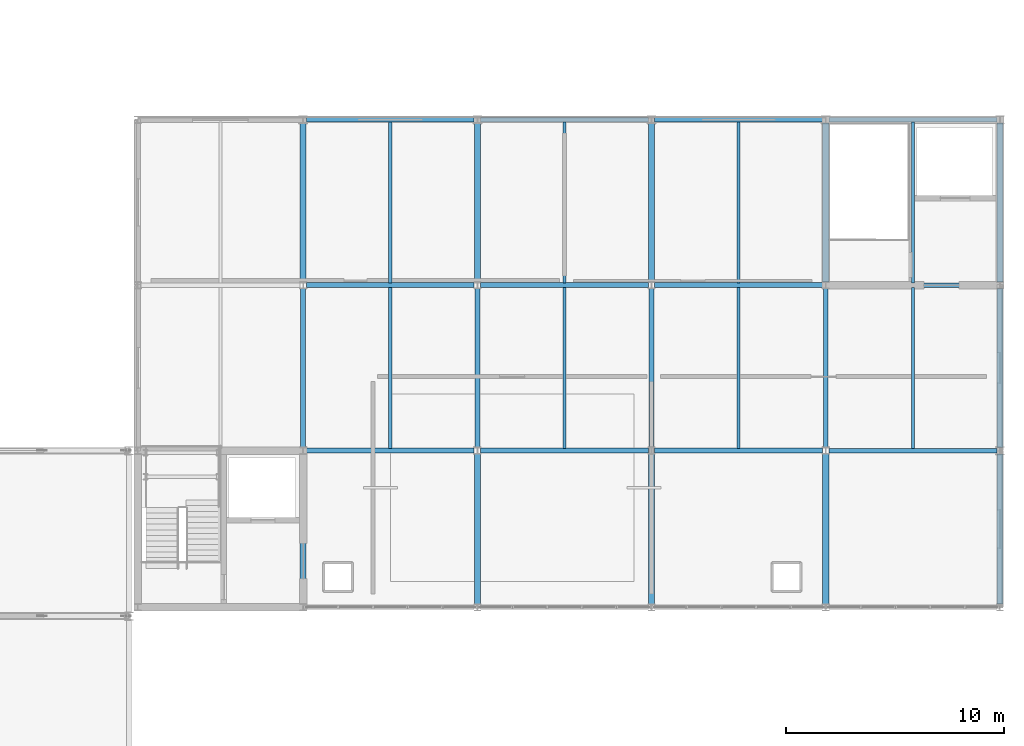
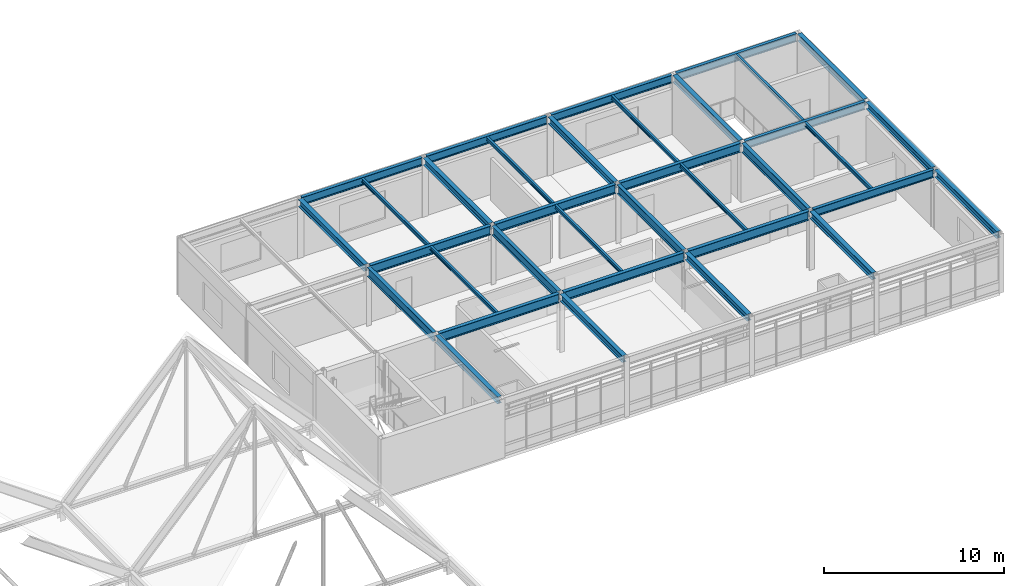
# One storey, part 53 of 85: 35 beams.
"""IFC4 building model written with IfcOpenShell, lengths in metres."""

import ifcopenshell
import ifcopenshell.guid

model = None  # the IFC model being written
_history = None  # IfcOwnerHistory: only IFC2X3 demands one
_inside = {}  # id of a spatial element -> (the spatial element, [elements in it])
_under = {}  # id of a project, library or spatial element -> (it, [spatial elements below it])
_declared = {}  # id of a project -> (the project, [libraries it declares])
_typed = {}  # id of a type object -> (the type object, [elements of that type])
_made_of = {}  # id of a material, layer set ... -> (it, [elements and type objects made of it])


def new_model(schema):
    """Start an empty IFC model of exactly this schema.

    Asked for "IFC4X3", IfcOpenShell would pick the latest addendum, in which some entities
    have other attributes; the version numbers below select the first issue.
    IFC2X3 requires an IfcOwnerHistory on every rooted entity: one is made here for all.
    """
    global model, _history
    if schema == "IFC4X3":
        model = ifcopenshell.file(schema_version=(4, 3, 0, 0))
    else:
        model = ifcopenshell.file(schema=schema)
    _inside.clear()
    _under.clear()
    _declared.clear()
    _typed.clear()
    _made_of.clear()
    _history = None
    if model.schema == "IFC2X3":
        org = make("IfcOrganization", Name="unknown")
        user = make(
            "IfcPersonAndOrganization",
            ThePerson=make("IfcPerson", FamilyName="unknown"),
            TheOrganization=org,
        )
        app = make(
            "IfcApplication",
            ApplicationDeveloper=org,
            Version="unknown",
            ApplicationFullName="unknown",
            ApplicationIdentifier="unknown",
        )
        _history = make(
            "IfcOwnerHistory",
            OwningUser=user,
            OwningApplication=app,
            ChangeAction="ADDED",
            CreationDate=0,
        )
    return model


def make(cls, **values):
    """One entity of the class cls with the attributes given. An attribute that is None is left unset."""
    return model.create_entity(
        cls, **{name: value for name, value in values.items() if value is not None}
    )


def rooted(cls, **values):
    """An entity with a GlobalId (a new one), such as an element, a storey or a relation."""
    return make(cls, GlobalId=ifcopenshell.guid.new(), OwnerHistory=_history, **values)


def si_unit(unit_type, name, prefix=None):
    """IfcSIUnit, for example si_unit("LENGTHUNIT", "METRE", prefix="MILLI")."""
    return make("IfcSIUnit", UnitType=unit_type, Prefix=prefix, Name=name)


def assignment(units):
    """IfcUnitAssignment: the units of a project."""
    return None if units is None else make("IfcUnitAssignment", Units=units)


def point(xyz):
    """IfcCartesianPoint."""
    return None if xyz is None else make("IfcCartesianPoint", Coordinates=xyz)


def direction(xyz):
    """IfcDirection."""
    return None if xyz is None else make("IfcDirection", DirectionRatios=xyz)


def frame(location, z_axis=None, x_axis=None):
    """IfcAxis2Placement3D, a coordinate frame: its origin and axes. An axis left out is left unset."""
    return make(
        "IfcAxis2Placement3D",
        Location=point(location),
        Axis=direction(z_axis),
        RefDirection=direction(x_axis),
    )


def frame_2d(location, x_axis=None):
    """IfcAxis2Placement2D, a coordinate frame in the plane: its origin and x axis."""
    return make(
        "IfcAxis2Placement2D", Location=point(location), RefDirection=direction(x_axis)
    )


def origin():
    """The frame at (0, 0, 0) with its axes left unset."""
    return frame((0.0, 0.0, 0.0))


def origin_2d():
    """The frame at (0, 0) in the plane with its x axis left unset."""
    return frame_2d((0.0, 0.0))


def place(relative_to, where):
    """IfcLocalPlacement: puts the frame where relative to a parent placement (None: the world)."""
    return make(
        "IfcLocalPlacement", PlacementRelTo=relative_to, RelativePlacement=where
    )


def context(
    kind, dimensions, precision=None, world=None, true_north=None, identifier=None
):
    """IfcGeometricRepresentationContext, for example the 3D "Model" context."""
    return make(
        "IfcGeometricRepresentationContext",
        ContextIdentifier=identifier,
        ContextType=kind,
        CoordinateSpaceDimension=dimensions,
        Precision=precision,
        WorldCoordinateSystem=world,
        TrueNorth=true_north,
    )


def subcontext(parent, identifier, kind, view, scale=None):
    """IfcGeometricRepresentationSubContext, for example "Body" below "Model"."""
    return make(
        "IfcGeometricRepresentationSubContext",
        ContextIdentifier=identifier,
        ContextType=kind,
        ParentContext=parent,
        TargetScale=scale,
        TargetView=view,
    )


def project(units=None, contexts=None):
    """IfcProject with its units and contexts."""
    return rooted(
        "IfcProject",
        Name="project",
        RepresentationContexts=contexts,
        UnitsInContext=assignment(units),
    )


def spatial(cls, under=None, at=None, **own):
    """A site, building, storey or space (cls), placed at a placement, below another one or the project."""
    s = rooted(cls, ObjectPlacement=at, **own)
    if under is not None:
        _under.setdefault(under.id(), (under, []))[1].append(s)
    return s


def profile(cls, at=None, kind="AREA", **sizes):
    """A parametric profile (cls). Its sizes go by their IFC names, for example OverallWidth=200.0."""
    return make(cls, ProfileType=kind, Position=at, **sizes)


def i_section(**sizes):
    """IfcIShapeProfileDef."""
    return profile("IfcIShapeProfileDef", **sizes)


def extrude(swept, where, along, depth):
    """IfcExtrudedAreaSolid: the profile swept, set in the frame where, extruded along a direction by depth."""
    return make(
        "IfcExtrudedAreaSolid",
        SweptArea=swept,
        Position=where,
        ExtrudedDirection=direction(along),
        Depth=depth,
    )


def shape(context_of_items, identifier, shape_type, items):
    """IfcShapeRepresentation: the items that make up one representation, for example the "Body"."""
    return make(
        "IfcShapeRepresentation",
        ContextOfItems=context_of_items,
        RepresentationIdentifier=identifier,
        RepresentationType=shape_type,
        Items=items,
    )


def material(Name=None, Category=None):
    """IfcMaterial."""
    return make("IfcMaterial", Name=Name, Category=Category)


def material_profile(
    of_material, cross_section, Name=None, Category=None, Priority=None
):
    """IfcMaterialProfile: a cross section and its material."""
    return make(
        "IfcMaterialProfile",
        Name=Name,
        Material=of_material,
        Profile=cross_section,
        Priority=Priority,
        Category=Category,
    )


def profile_set(profiles, Name=None, composite=None):
    """IfcMaterialProfileSet."""
    return make(
        "IfcMaterialProfileSet",
        Name=Name,
        MaterialProfiles=profiles,
        CompositeProfile=composite,
    )


def made_of(thing, what):
    """Note that an element or type object is made of a material, layer set ...; save() writes the relation."""
    if what is not None:
        _made_of.setdefault(what.id(), (what, []))[1].append(thing)
    return thing


def type_object(cls, material=None, **own):
    """A type object (cls), such as IfcWallType, which elements share."""
    return made_of(rooted(cls, **own), material)


def element(
    cls,
    number,
    at=None,
    inside=None,
    cuts=None,
    type_object=None,
    material=None,
    context=None,
    identifier="Body",
    shape_type=None,
    held_by="IfcProductDefinitionShape",
    body=None,
    shapes=None,
    **own,
):
    """One element of the class cls, such as IfcWall. Its Tag is "e" and its number.

    at: its placement. inside: the storey or other place that contains it. cuts: it is an
    opening in that element (IfcRelVoidsElement). A single representation is given by context,
    identifier, shape_type and body (its items); several are given by shapes. held_by: the class
    of the entity that holds the representations. save() writes the other relations.
    """
    e = rooted(cls, Tag="e%d" % number, ObjectPlacement=at, **own)
    if body is not None:
        shapes = [shape(context, identifier, shape_type, body)]
    if shapes is not None:
        e.Representation = make(held_by, Representations=shapes)
    if inside is not None:
        _inside.setdefault(inside.id(), (inside, []))[1].append(e)
    if cuts is not None:
        rooted(
            "IfcRelVoidsElement", RelatingBuildingElement=cuts, RelatedOpeningElement=e
        )
    if type_object is not None:
        _typed.setdefault(type_object.id(), (type_object, []))[1].append(e)
    return made_of(e, material)


def aggregate(whole, parts):
    """IfcRelAggregates: a whole, such as a stair, and the parts it consists of."""
    return rooted("IfcRelAggregates", RelatingObject=whole, RelatedObjects=parts)


def save(model, path):
    """Write the relations noted so far, then the file.

    IfcRelAggregates (storeys below a building ...), IfcRelContainedInSpatialStructure (elements
    in a storey), IfcRelDefinesByType, IfcRelAssociatesMaterial and IfcRelDeclares: one each for
    every whole, place, type object, material and project.
    """
    for whole, parts in _under.values():
        aggregate(whole, parts)
    for where, things in _inside.values():
        rooted(
            "IfcRelContainedInSpatialStructure",
            RelatedElements=things,
            RelatingStructure=where,
        )
    for kind, things in _typed.values():
        rooted("IfcRelDefinesByType", RelatedObjects=things, RelatingType=kind)
    for what, things in _made_of.values():
        rooted("IfcRelAssociatesMaterial", RelatedObjects=things, RelatingMaterial=what)
    for by, libraries in _declared.values():
        rooted("IfcRelDeclares", RelatingContext=by, RelatedDefinitions=libraries)
    model.write(path)


model = new_model("IFC4")

# Units and contexts
model_context = context("Model", 3, precision=1e-05, world=origin(), true_north=direction((0.0, 1.0)))
body_context = subcontext(model_context, "Body", "Model", "MODEL_VIEW")
ifc_project = project(units=[si_unit("LENGTHUNIT", "METRE"), si_unit("AREAUNIT", "SQUARE_METRE"), si_unit("VOLUMEUNIT", "CUBIC_METRE"), si_unit("PLANEANGLEUNIT", "RADIAN"), si_unit("MASSUNIT", "GRAM", prefix="KILO")], contexts=[model_context])

# Site, building, storey
site_placement = place(None, origin())
site = spatial("IfcSite", under=ifc_project, at=site_placement, CompositionType="ELEMENT")
building_placement = place(site_placement, origin())
building = spatial("IfcBuilding", under=site, at=building_placement, Name="Zulena Civic Courthouse", CompositionType="ELEMENT")
storey_placement = place(building_placement, frame((0.0, 0.0, 25.199951171875)))
storey = spatial("IfcBuildingStorey", under=building, at=storey_placement, Name="L05", CompositionType="ELEMENT", Elevation=25.199951171875)

# Beams
ifc_material = material(Name="Steel ASTM A992 Grade 50", Category="steel")
ifc_material_profile_1 = material_profile(ifc_material, i_section(OverallWidth=0.22802734375, OverallDepth=0.60693359375, WebThickness=0.01123046875, FlangeThickness=0.017333984375, FilletRadius=0.0126953125, at=origin_2d()), Name="W24X76")
ifc_profile_set_1 = profile_set([ifc_material_profile_1], Name="Steel ASTM A992 Grade 50")
beam_type_1 = type_object("IfcBeamType", Name="Girder_W24X76", PredefinedType="BEAM", material=ifc_profile_set_1)
for number, where, z_axis, x_axis, name in (
    (1, (132.0, 38.14501953125, 3.6865234375), (0.0, 1.0, 0.0), (-1.0, 0.0, 0.0), "beam:Y:V3:L05:132.0:38.0_45.6"),
    (2, (140.0, 38.14501953125, 3.6865234375), (0.0, 1.0, 0.0), (-1.0, 0.0, 0.0), "beam:Y:V3:L05:140.0:38.0_45.6"),
    (3, (148.0, 38.14501953125, 3.6865234375), (0.0, 1.0, 0.0), (-1.0, 0.0, 0.0), "beam:Y:V3:L05:148.0:38.0_45.6"),
    (4, (156.0, 38.14501953125, 3.691650390625), (0.0, 1.0, 0.0), (-1.0, 0.0, 0.0), "beam:Y:V3:L05:156.0:38.0_45.6"),
):
    element("IfcBeam", number, at=place(storey_placement, frame(where, z_axis=z_axis, x_axis=x_axis)), inside=storey, type_object=beam_type_1, Name=name, PredefinedType="BEAM", context=body_context, shape_type="SweptSolid", body=[
        extrude(i_section(OverallWidth=0.22802734375, OverallDepth=0.60693359375, WebThickness=0.01123046875, FlangeThickness=0.017333984375, FilletRadius=0.0126953125, at=origin_2d()), origin(), (0.0, 0.0, 1.0), 7.31005859375),
    ])
ifc_material_profile_2 = material_profile(ifc_material, i_section(OverallWidth=0.22998046875, OverallDepth=0.616943359375, WebThickness=0.01318359375, FlangeThickness=0.022216796875, FilletRadius=0.0126953125, at=origin_2d()), Name="W24X94")
ifc_profile_set_2 = profile_set([ifc_material_profile_2], Name="Steel ASTM A992 Grade 50")
beam_type_2 = type_object("IfcBeamType", Name="Girder_W24X94", PredefinedType="BEAM", material=ifc_profile_set_2)
for number, where, z_axis, x_axis, name in (
    (5, (132.14501953125, 38.0, 3.681640625), (1.0, 0.0, 0.0), (0.0, 1.0, 0.0), "beam:X:V3:L05:38.0:132.0_140.0"),
    (6, (140.14501953125, 38.0, 3.681640625), (1.0, 0.0, 0.0), (0.0, 1.0, 0.0), "beam:X:V3:L05:38.0:140.0_148.0"),
    (7, (148.14501953125, 38.0, 3.681640625), (1.0, 0.0, 0.0), (0.0, 1.0, 0.0), "beam:X:V3:L05:38.0:148.0_156.0"),
    (8, (132.14501953125, 45.60009765625, 3.681640625), (1.0, 0.0, 0.0), (0.0, 1.0, 0.0), "beam:X:V3:L05:45.6:132.0_140.0"),
    (9, (140.14501953125, 45.60009765625, 3.681640625), (1.0, 0.0, 0.0), (0.0, 1.0, 0.0), "beam:X:V3:L05:45.6:140.0_148.0"),
    (10, (148.14501953125, 45.60009765625, 3.681640625), (1.0, 0.0, 0.0), (0.0, 1.0, 0.0), "beam:X:V3:L05:45.6:148.0_156.0"),
):
    element("IfcBeam", number, at=place(storey_placement, frame(where, z_axis=z_axis, x_axis=x_axis)), inside=storey, type_object=beam_type_2, Name=name, PredefinedType="BEAM", context=body_context, shape_type="SweptSolid", body=[
        extrude(i_section(OverallWidth=0.22998046875, OverallDepth=0.616943359375, WebThickness=0.01318359375, FlangeThickness=0.022216796875, FilletRadius=0.0126953125, at=origin_2d()), origin(), (0.0, 0.0, 1.0), 7.7099609375),
    ])
ifc_material_profile_3 = material_profile(ifc_material, i_section(OverallWidth=0.14599609375, OverallDepth=0.258056640625, WebThickness=0.006103515625, FlangeThickness=0.009033203125, FilletRadius=0.007568359375, at=origin_2d()), Name="W10X22")
ifc_profile_set_3 = profile_set([ifc_material_profile_3], Name="Steel ASTM A992 Grade 50")
beam_type_3 = type_object("IfcBeamType", Name="Joist_W10X22", PredefinedType="JOIST", material=ifc_profile_set_3)
beam_1_placement = place(storey_placement, frame((136.0, 38.10498046875, 3.861083984375), z_axis=(0.0, 1.0, 0.0), x_axis=(-1.0, 0.0, 0.0)))
element("IfcBeam", 11, at=beam_1_placement, inside=storey, type_object=beam_type_3, Name="joist:V3:L05:136.00:38.0_45.6", PredefinedType="JOIST", context=body_context, shape_type="SweptSolid", body=[
    extrude(i_section(OverallWidth=0.14599609375, OverallDepth=0.258056640625, WebThickness=0.006103515625, FlangeThickness=0.009033203125, FilletRadius=0.007568359375, at=origin_2d()), origin(), (0.0, 0.0, 1.0), 7.39013671875),
])
beam_2_placement = place(storey_placement, frame((136.0, 45.705078125, 3.861083984375), z_axis=(0.0, 1.0, 0.0), x_axis=(-1.0, 0.0, 0.0)))
element("IfcBeam", 12, at=beam_2_placement, inside=storey, type_object=beam_type_3, Name="joist:V3:L05:136.00:45.6_53.2", PredefinedType="JOIST", context=body_context, shape_type="SweptSolid", body=[
    extrude(i_section(OverallWidth=0.14599609375, OverallDepth=0.258056640625, WebThickness=0.006103515625, FlangeThickness=0.009033203125, FilletRadius=0.007568359375, at=origin_2d()), origin(), (0.0, 0.0, 1.0), 7.389892578125),
])
beam_3_placement = place(storey_placement, frame((144.0, 38.10498046875, 3.861083984375), z_axis=(0.0, 1.0, 0.0), x_axis=(-1.0, 0.0, 0.0)))
element("IfcBeam", 13, at=beam_3_placement, inside=storey, type_object=beam_type_3, Name="joist:V3:L05:144.00:38.0_45.6", PredefinedType="JOIST", context=body_context, shape_type="SweptSolid", body=[
    extrude(i_section(OverallWidth=0.14599609375, OverallDepth=0.258056640625, WebThickness=0.006103515625, FlangeThickness=0.009033203125, FilletRadius=0.007568359375, at=origin_2d()), origin(), (0.0, 0.0, 1.0), 7.39013671875),
])
beam_4_placement = place(storey_placement, frame((144.0, 45.705078125, 3.861083984375), z_axis=(0.0, 1.0, 0.0), x_axis=(-1.0, 0.0, 0.0)))
element("IfcBeam", 14, at=beam_4_placement, inside=storey, type_object=beam_type_3, Name="joist:V3:L05:144.00:45.6_53.2", PredefinedType="JOIST", context=body_context, shape_type="SweptSolid", body=[
    extrude(i_section(OverallWidth=0.14599609375, OverallDepth=0.258056640625, WebThickness=0.006103515625, FlangeThickness=0.009033203125, FilletRadius=0.007568359375, at=origin_2d()), origin(), (0.0, 0.0, 1.0), 7.389892578125),
])
beam_5_placement = place(storey_placement, frame((152.0, 38.10498046875, 3.861083984375), z_axis=(0.0, 1.0, 0.0), x_axis=(-1.0, 0.0, 0.0)))
element("IfcBeam", 15, at=beam_5_placement, inside=storey, type_object=beam_type_3, Name="joist:V3:L05:152.00:38.0_45.6", PredefinedType="JOIST", context=body_context, shape_type="SweptSolid", body=[
    extrude(i_section(OverallWidth=0.14599609375, OverallDepth=0.258056640625, WebThickness=0.006103515625, FlangeThickness=0.009033203125, FilletRadius=0.007568359375, at=origin_2d()), origin(), (0.0, 0.0, 1.0), 7.39013671875),
])
beam_6_placement = place(storey_placement, frame((152.0, 45.705078125, 3.861083984375), z_axis=(0.0, 1.0, 0.0), x_axis=(-1.0, 0.0, 0.0)))
element("IfcBeam", 16, at=beam_6_placement, inside=storey, type_object=beam_type_3, Name="joist:V3:L05:152.00:45.6_53.2", PredefinedType="JOIST", context=body_context, shape_type="SweptSolid", body=[
    extrude(i_section(OverallWidth=0.14599609375, OverallDepth=0.258056640625, WebThickness=0.006103515625, FlangeThickness=0.009033203125, FilletRadius=0.007568359375, at=origin_2d()), origin(), (0.0, 0.0, 1.0), 7.389892578125),
])
beam_7_placement = place(storey_placement, frame((160.0, 38.10498046875, 3.865966796875), z_axis=(0.0, 1.0, 0.0), x_axis=(-1.0, 0.0, 0.0)))
element("IfcBeam", 17, at=beam_7_placement, inside=storey, type_object=beam_type_3, Name="joist:V3:L05:160.00:38.0_45.6", PredefinedType="JOIST", context=body_context, shape_type="SweptSolid", body=[
    extrude(i_section(OverallWidth=0.14599609375, OverallDepth=0.258056640625, WebThickness=0.006103515625, FlangeThickness=0.009033203125, FilletRadius=0.007568359375, at=origin_2d()), origin(), (0.0, 0.0, 1.0), 7.39013671875),
])
beam_8_placement = place(storey_placement, frame((160.0, 45.705078125, 3.865966796875), z_axis=(0.0, 1.0, 0.0), x_axis=(-1.0, 0.0, 0.0)))
element("IfcBeam", 18, at=beam_8_placement, inside=storey, type_object=beam_type_3, Name="joist:V3:L05:160.00:45.6_53.2", PredefinedType="JOIST", context=body_context, shape_type="SweptSolid", body=[
    extrude(i_section(OverallWidth=0.14599609375, OverallDepth=0.258056640625, WebThickness=0.006103515625, FlangeThickness=0.009033203125, FilletRadius=0.007568359375, at=origin_2d()), origin(), (0.0, 0.0, 1.0), 7.389892578125),
])
ifc_material_profile_4 = material_profile(ifc_material, i_section(OverallWidth=0.280029296875, OverallDepth=0.462890625, WebThickness=0.0107421875, FlangeThickness=0.017333984375, FilletRadius=0.01025390625, at=origin_2d()), Name="W18X76")
ifc_profile_set_4 = profile_set([ifc_material_profile_4], Name="Steel ASTM A992 Grade 50")
beam_type_4 = type_object("IfcBeamType", Name="Spandrel_W18X76", PredefinedType="SPANDREL", material=ifc_profile_set_4)
beam_9_placement = place(storey_placement, frame((132.0, 30.945068359375, 3.758544921875), z_axis=(0.0, 1.0, 0.0), x_axis=(-1.0, 0.0, 0.0)))
element("IfcBeam", 19, at=beam_9_placement, inside=storey, type_object=beam_type_4, Name="beam:Y:V3:L05:132.0:30.8_38.0", PredefinedType="SPANDREL", context=body_context, shape_type="SweptSolid", body=[
    extrude(i_section(OverallWidth=0.280029296875, OverallDepth=0.462890625, WebThickness=0.0107421875, FlangeThickness=0.017333984375, FilletRadius=0.01025390625, at=origin_2d()), origin(), (0.0, 0.0, 1.0), 6.909912109375),
])
beam_10_placement = place(storey_placement, frame((132.0, 45.7451171875, 3.758544921875), z_axis=(0.0, 1.0, 0.0), x_axis=(-1.0, 0.0, 0.0)))
element("IfcBeam", 20, at=beam_10_placement, inside=storey, type_object=beam_type_4, Name="beam:Y:V3:L05:132.0:45.6_53.2", PredefinedType="SPANDREL", context=body_context, shape_type="SweptSolid", body=[
    extrude(i_section(OverallWidth=0.280029296875, OverallDepth=0.462890625, WebThickness=0.0107421875, FlangeThickness=0.017333984375, FilletRadius=0.01025390625, at=origin_2d()), origin(), (0.0, 0.0, 1.0), 7.309814453125),
])
beam_11_placement = place(storey_placement, frame((140.0, 30.945068359375, 3.758544921875), z_axis=(0.0, 1.0, 0.0), x_axis=(-1.0, 0.0, 0.0)))
element("IfcBeam", 21, at=beam_11_placement, inside=storey, type_object=beam_type_4, Name="beam:Y:V3:L05:140.0:30.8_38.0", PredefinedType="SPANDREL", context=body_context, shape_type="SweptSolid", body=[
    extrude(i_section(OverallWidth=0.280029296875, OverallDepth=0.462890625, WebThickness=0.0107421875, FlangeThickness=0.017333984375, FilletRadius=0.01025390625, at=origin_2d()), origin(), (0.0, 0.0, 1.0), 6.909912109375),
])
beam_12_placement = place(storey_placement, frame((140.0, 45.7451171875, 3.758544921875), z_axis=(0.0, 1.0, 0.0), x_axis=(-1.0, 0.0, 0.0)))
element("IfcBeam", 22, at=beam_12_placement, inside=storey, type_object=beam_type_4, Name="beam:Y:V3:L05:140.0:45.6_53.2", PredefinedType="SPANDREL", context=body_context, shape_type="SweptSolid", body=[
    extrude(i_section(OverallWidth=0.280029296875, OverallDepth=0.462890625, WebThickness=0.0107421875, FlangeThickness=0.017333984375, FilletRadius=0.01025390625, at=origin_2d()), origin(), (0.0, 0.0, 1.0), 7.309814453125),
])
beam_13_placement = place(storey_placement, frame((148.0, 30.945068359375, 3.758544921875), z_axis=(0.0, 1.0, 0.0), x_axis=(-1.0, 0.0, 0.0)))
element("IfcBeam", 23, at=beam_13_placement, inside=storey, type_object=beam_type_4, Name="beam:Y:V3:L05:148.0:30.8_38.0", PredefinedType="SPANDREL", context=body_context, shape_type="SweptSolid", body=[
    extrude(i_section(OverallWidth=0.280029296875, OverallDepth=0.462890625, WebThickness=0.0107421875, FlangeThickness=0.017333984375, FilletRadius=0.01025390625, at=origin_2d()), origin(), (0.0, 0.0, 1.0), 6.909912109375),
])
beam_14_placement = place(storey_placement, frame((148.0, 45.7451171875, 3.758544921875), z_axis=(0.0, 1.0, 0.0), x_axis=(-1.0, 0.0, 0.0)))
element("IfcBeam", 24, at=beam_14_placement, inside=storey, type_object=beam_type_4, Name="beam:Y:V3:L05:148.0:45.6_53.2", PredefinedType="SPANDREL", context=body_context, shape_type="SweptSolid", body=[
    extrude(i_section(OverallWidth=0.280029296875, OverallDepth=0.462890625, WebThickness=0.0107421875, FlangeThickness=0.017333984375, FilletRadius=0.01025390625, at=origin_2d()), origin(), (0.0, 0.0, 1.0), 7.309814453125),
])
beam_15_placement = place(storey_placement, frame((156.0, 30.945068359375, 3.763427734375), z_axis=(0.0, 1.0, 0.0), x_axis=(-1.0, 0.0, 0.0)))
element("IfcBeam", 25, at=beam_15_placement, inside=storey, type_object=beam_type_4, Name="beam:Y:V3:L05:156.0:30.8_38.0", PredefinedType="SPANDREL", context=body_context, shape_type="SweptSolid", body=[
    extrude(i_section(OverallWidth=0.280029296875, OverallDepth=0.462890625, WebThickness=0.0107421875, FlangeThickness=0.017333984375, FilletRadius=0.01025390625, at=origin_2d()), origin(), (0.0, 0.0, 1.0), 6.909912109375),
])
beam_16_placement = place(storey_placement, frame((156.0, 45.7451171875, 3.763427734375), z_axis=(0.0, 1.0, 0.0), x_axis=(-1.0, 0.0, 0.0)))
element("IfcBeam", 26, at=beam_16_placement, inside=storey, type_object=beam_type_4, Name="beam:Y:V3:L05:156.0:45.6_53.2", PredefinedType="SPANDREL", context=body_context, shape_type="SweptSolid", body=[
    extrude(i_section(OverallWidth=0.280029296875, OverallDepth=0.462890625, WebThickness=0.0107421875, FlangeThickness=0.017333984375, FilletRadius=0.01025390625, at=origin_2d()), origin(), (0.0, 0.0, 1.0), 7.309814453125),
])
beam_17_placement = place(storey_placement, frame((164.0, 30.945068359375, 3.763427734375), z_axis=(0.0, 1.0, 0.0), x_axis=(-1.0, 0.0, 0.0)))
element("IfcBeam", 27, at=beam_17_placement, inside=storey, type_object=beam_type_4, Name="beam:Y:V3:L05:164.0:30.8_38.0", PredefinedType="SPANDREL", context=body_context, shape_type="SweptSolid", body=[
    extrude(i_section(OverallWidth=0.280029296875, OverallDepth=0.462890625, WebThickness=0.0107421875, FlangeThickness=0.017333984375, FilletRadius=0.01025390625, at=origin_2d()), origin(), (0.0, 0.0, 1.0), 6.909912109375),
])
beam_18_placement = place(storey_placement, frame((164.0, 38.14501953125, 3.763427734375), z_axis=(0.0, 1.0, 0.0), x_axis=(-1.0, 0.0, 0.0)))
element("IfcBeam", 28, at=beam_18_placement, inside=storey, type_object=beam_type_4, Name="beam:Y:V3:L05:164.0:38.0_45.6", PredefinedType="SPANDREL", context=body_context, shape_type="SweptSolid", body=[
    extrude(i_section(OverallWidth=0.280029296875, OverallDepth=0.462890625, WebThickness=0.0107421875, FlangeThickness=0.017333984375, FilletRadius=0.01025390625, at=origin_2d()), origin(), (0.0, 0.0, 1.0), 7.31005859375),
])
beam_19_placement = place(storey_placement, frame((164.0, 45.7451171875, 3.763427734375), z_axis=(0.0, 1.0, 0.0), x_axis=(-1.0, 0.0, 0.0)))
element("IfcBeam", 29, at=beam_19_placement, inside=storey, type_object=beam_type_4, Name="beam:Y:V3:L05:164.0:45.6_53.2", PredefinedType="SPANDREL", context=body_context, shape_type="SweptSolid", body=[
    extrude(i_section(OverallWidth=0.280029296875, OverallDepth=0.462890625, WebThickness=0.0107421875, FlangeThickness=0.017333984375, FilletRadius=0.01025390625, at=origin_2d()), origin(), (0.0, 0.0, 1.0), 7.309814453125),
])
ifc_material_profile_5 = material_profile(ifc_material, i_section(OverallWidth=0.2099609375, OverallDepth=0.537109375, WebThickness=0.010986328125, FlangeThickness=0.017333984375, FilletRadius=0.0126953125, at=origin_2d()), Name="W21X68")
ifc_profile_set_5 = profile_set([ifc_material_profile_5], Name="Steel ASTM A992 Grade 50")
beam_type_5 = type_object("IfcBeamType", Name="Spandrel_W21X68", PredefinedType="SPANDREL", material=ifc_profile_set_5)
for number, where, z_axis, x_axis, name in (
    (30, (156.14501953125, 38.0, 3.7265625), (1.0, 0.0, 0.0), (0.0, 1.0, 0.0), "beam:X:V3:L05:38.0:156.0_164.0"),
    (31, (156.14501953125, 45.60009765625, 3.7265625), (1.0, 0.0, 0.0), (0.0, 1.0, 0.0), "beam:X:V3:L05:45.6:156.0_164.0"),
    (32, (132.14501953125, 53.199951171875, 3.721435546875), (1.0, 0.0, 0.0), (0.0, 1.0, 0.0), "beam:X:V3:L05:53.2:132.0_140.0"),
    (33, (140.14501953125, 53.199951171875, 3.721435546875), (1.0, 0.0, 0.0), (0.0, 1.0, 0.0), "beam:X:V3:L05:53.2:140.0_148.0"),
    (34, (148.14501953125, 53.199951171875, 3.721435546875), (1.0, 0.0, 0.0), (0.0, 1.0, 0.0), "beam:X:V3:L05:53.2:148.0_156.0"),
    (35, (156.14501953125, 53.199951171875, 3.7265625), (1.0, 0.0, 0.0), (0.0, 1.0, 0.0), "beam:X:V3:L05:53.2:156.0_164.0"),
):
    element("IfcBeam", number, at=place(storey_placement, frame(where, z_axis=z_axis, x_axis=x_axis)), inside=storey, type_object=beam_type_5, Name=name, PredefinedType="SPANDREL", context=body_context, shape_type="SweptSolid", body=[
        extrude(i_section(OverallWidth=0.2099609375, OverallDepth=0.537109375, WebThickness=0.010986328125, FlangeThickness=0.017333984375, FilletRadius=0.0126953125, at=origin_2d()), origin(), (0.0, 0.0, 1.0), 7.7099609375),
    ])

save(model, "model.ifc")
